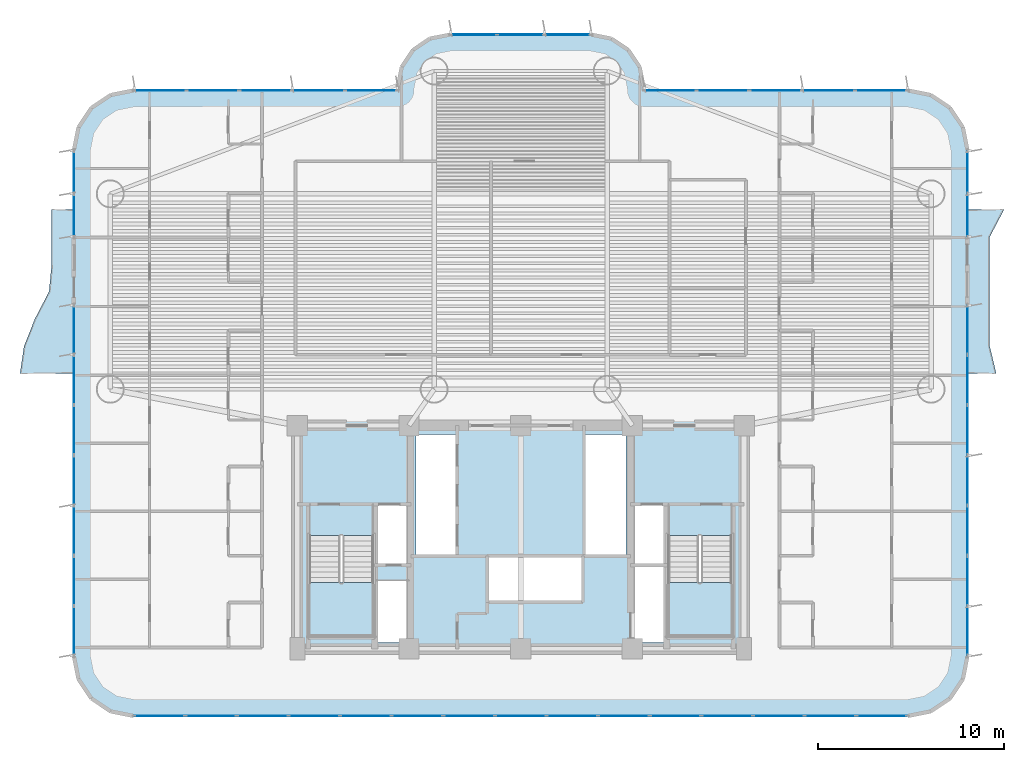
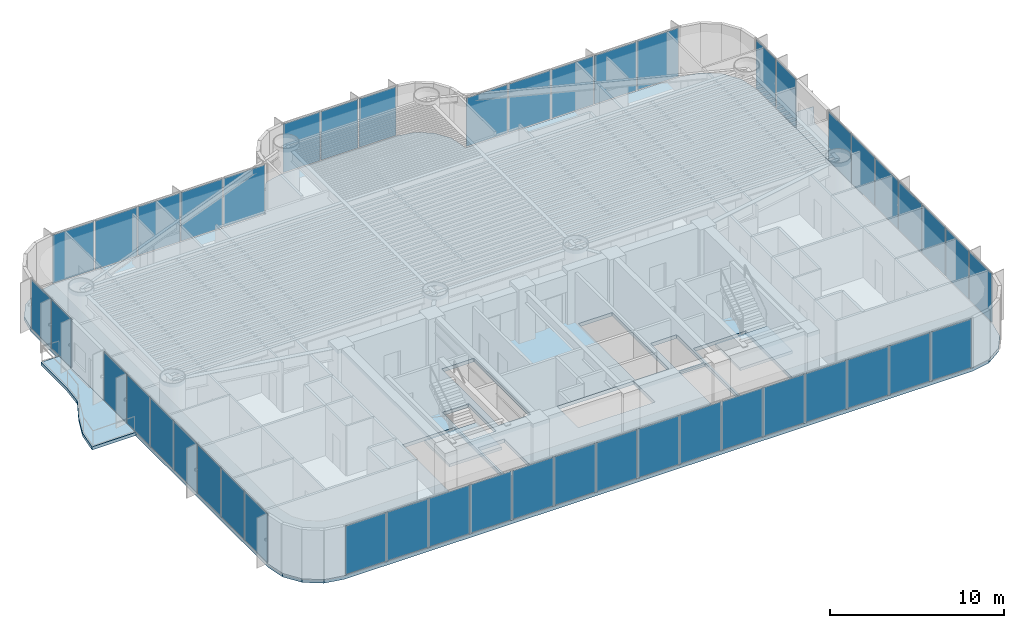
# One storey, part 9 of 19: 46 plates, 5 slabs, 10 elements without a shape of their own.
"""IFC4 building model written with IfcOpenShell, lengths in metres."""

from ifc_helpers import new_model, si_unit, direction, frame, origin, origin_2d, place, context, subcontext, project, spatial, polyline, rectangle, outline, extrude, source, transform, mapped, material, layer, layer_set, type_object, element, aggregate, save


model = new_model("IFC4")

# Units and contexts
model_context = context("Model", 3, precision=1e-05, world=origin(), true_north=direction((0.0, 1.0)))
body_context = subcontext(model_context, "Body", "Model", "MODEL_VIEW")
ifc_project = project(units=[si_unit("LENGTHUNIT", "METRE"), si_unit("AREAUNIT", "SQUARE_METRE"), si_unit("VOLUMEUNIT", "CUBIC_METRE"), si_unit("PLANEANGLEUNIT", "RADIAN"), si_unit("MASSUNIT", "GRAM", prefix="KILO")], contexts=[model_context])

# Site, building, storey
site_placement = place(None, origin())
site = spatial("IfcSite", under=ifc_project, at=site_placement, CompositionType="ELEMENT")
building_placement = place(site_placement, origin())
building = spatial("IfcBuilding", under=site, at=building_placement, Name="Brelvock Crest Care Tower", CompositionType="ELEMENT")
storey_placement = place(building_placement, frame((0.0, 0.0, 30.780029296875)))
storey = spatial("IfcBuildingStorey", under=building, at=storey_placement, Name="L07", CompositionType="ELEMENT", Elevation=30.780029296875)

# Slabs
ifc_material_1 = material(Name="Concrete N50 (50 MPa)", Category="concrete")
ifc_layer_1 = layer(ifc_material_1, 0.22998046875, Name="SLB-FL4")
ifc_layer_set_1 = layer_set([ifc_layer_1], Name="Concrete N50 (50 MPa)")
slab_type_1 = type_object("IfcSlabType", Name="SLB-FL4", PredefinedType="FLOOR", material=ifc_layer_set_1)
slab_1_placement = place(storey_placement, frame((0.0, 0.0, -0.25)))
element("IfcSlab", 1, at=slab_1_placement, inside=storey, type_object=slab_type_1, Name="L07 Main Structural Slab", PredefinedType="FLOOR", context=body_context, shape_type="SweptSolid", body=[
    extrude(outline(polyline([(56.800048828125, 36.0), (42.60009765625, 36.0), (42.60009765625, 36.199951171875), (42.386962890625, 37.271484375), (41.77978515625, 38.179931640625), (40.87158203125, 38.786865234375), (39.800048828125, 39.0), (32.199951171875, 39.0), (31.12841796875, 38.786865234375), (30.22021484375, 38.179931640625), (29.613037109375, 37.271484375), (29.39990234375, 36.199951171875), (29.39990234375, 36.0), (15.199951171875, 36.0), (13.975341796875, 35.75634765625), (12.937255859375, 35.062744140625), (12.24365234375, 34.024658203125), (12.0, 32.800048828125), (12.0, 5.60009765625), (12.24365234375, 4.37548828125), (12.937255859375, 3.33740234375), (13.975341796875, 2.6435546875), (15.199951171875, 2.39990234375), (56.800048828125, 2.39990234375), (58.024658203125, 2.6435546875), (59.062744140625, 3.33740234375), (59.75634765625, 4.37548828125), (60.0, 5.60009765625), (60.0, 32.800048828125), (59.75634765625, 34.024658203125), (59.062744140625, 35.062744140625), (58.024658203125, 35.75634765625), (56.800048828125, 36.0)]), holes=[polyline([(28.239990234375, 10.580078125), (29.97998046875, 10.580078125), (29.97998046875, 13.739990234375), (28.239990234375, 13.739990234375), (28.239990234375, 10.580078125)]), polyline([(42.02001953125, 10.580078125), (43.760009765625, 10.580078125), (43.760009765625, 13.739990234375), (42.02001953125, 13.739990234375), (42.02001953125, 10.580078125)]), polyline([(28.239990234375, 6.340087890625), (29.97998046875, 6.340087890625), (29.97998046875, 9.64990234375), (28.239990234375, 9.64990234375), (28.239990234375, 6.340087890625)]), polyline([(24.6298828125, 12.080078125), (24.6298828125, 6.699951171875), (28.110107421875, 6.699951171875), (28.110107421875, 12.080078125), (24.6298828125, 12.080078125)]), polyline([(43.889892578125, 12.080078125), (43.889892578125, 6.699951171875), (47.3701171875, 6.699951171875), (47.3701171875, 12.080078125), (43.889892578125, 12.080078125)]), polyline([(42.02001953125, 6.340087890625), (43.760009765625, 6.340087890625), (43.760009765625, 10.5), (42.02001953125, 10.5), (42.02001953125, 6.340087890625)]), polyline([(30.3798828125, 11.030029296875), (32.52001953125, 11.030029296875), (32.52001953125, 17.52001953125), (30.3798828125, 17.52001953125), (30.3798828125, 11.030029296875)]), polyline([(34.22998046875, 8.530029296875), (39.320068359375, 8.530029296875), (39.320068359375, 10.969970703125), (34.22998046875, 10.969970703125), (34.22998046875, 8.530029296875)]), polyline([(39.429931640625, 11.030029296875), (41.669921875, 11.030029296875), (41.669921875, 17.52001953125), (39.429931640625, 17.52001953125), (39.429931640625, 11.030029296875)])]), origin(), (0.0, 0.0, 1.0), 0.25),
])
ifc_layer_2 = layer(ifc_material_1, 0.219970703125, Name="SLB-WB1")
ifc_layer_set_2 = layer_set([ifc_layer_2], Name="Concrete N50 (50 MPa)")
slab_type_2 = type_object("IfcSlabType", Name="SLB-WB1", PredefinedType="FLOOR", material=ifc_layer_set_2)
slab_2_placement = place(storey_placement, frame((0.0, 0.0, -0.219970703125)))
element("IfcSlab", 2, at=slab_2_placement, inside=storey, type_object=slab_type_2, Name="L07 W Sinusoidal Wave Balcony Slab", PredefinedType="FLOOR", context=body_context, shape_type="SweptSolid", body=[
    extrude(outline(polyline([(12.0, 29.60009765625), (10.800048828125, 29.60009765625), (10.800048828125, 28.13330078125), (10.800048828125, 26.666748046875), (10.6611328125, 25.199951171875), (9.90087890625, 23.7333984375), (9.31787109375, 22.2666015625), (9.10009765625, 20.800048828125), (12.0, 20.800048828125), (12.0, 29.60009765625)])), origin(), (0.0, 0.0, 1.0), 0.219970703125),
])
slab_3_placement = place(storey_placement, frame((0.0, 0.0, -0.219970703125)))
element("IfcSlab", 3, at=slab_3_placement, inside=storey, type_object=slab_type_2, Name="L07 E Sinusoidal Wave Balcony Slab", PredefinedType="FLOOR", context=body_context, shape_type="SweptSolid", body=[
    extrude(outline(polyline([(60.0, 20.800048828125), (61.550048828125, 20.800048828125), (61.199951171875, 22.2666015625), (61.199951171875, 23.7333984375), (61.199951171875, 25.199951171875), (61.199951171875, 26.666748046875), (61.20068359375, 28.13330078125), (61.96728515625, 29.60009765625), (60.0, 29.60009765625), (60.0, 20.800048828125)])), origin(), (0.0, 0.0, 1.0), 0.219970703125),
])

# Stair, slab
ifc_material_2 = material(Name="Concrete N40 (40 MPa)", Category="concrete")
stair_type = type_object("IfcStairType", Name="ST-CORE1", PredefinedType="HALF_TURN_STAIR", material=ifc_material_2)
stair_1_placement = place(storey_placement, origin())
stair_1 = element("IfcStair", 4, at=stair_1_placement, inside=storey, type_object=stair_type, Name="L07 Fire-Isolated Core Stair ST-1", PredefinedType="HALF_TURN_STAIR")
ifc_layer_3 = layer(ifc_material_2, 0.199951171875, Name="STL-1")
ifc_layer_set_3 = layer_set([ifc_layer_3], Name="Concrete N40 (40 MPa)")
slab_type_3 = type_object("IfcSlabType", Name="STL-1", PredefinedType="LANDING", material=ifc_layer_set_3)
slab_4_placement = place(storey_placement, frame((0.0, 0.0, 1.68994140625)))
slab_4 = element("IfcSlab", 5, at=slab_4_placement, type_object=slab_type_3, Name="ST-1 landing 1", PredefinedType="LANDING", context=body_context, shape_type="SweptSolid", body=[
    extrude(outline(polyline([(24.6298828125, 9.56005859375), (24.6298828125, 6.699951171875), (28.110107421875, 6.699951171875), (28.110107421875, 9.56005859375), (24.6298828125, 9.56005859375)])), origin(), (0.0, 0.0, 1.0), 0.199951171875),
])
aggregate(stair_1, [slab_4])

stair_2_placement = place(storey_placement, origin())
stair_2 = element("IfcStair", 6, at=stair_2_placement, inside=storey, type_object=stair_type, Name="L07 Fire-Isolated Core Stair ST-2", PredefinedType="HALF_TURN_STAIR")
slab_5_placement = place(storey_placement, frame((0.0, 0.0, 1.68994140625)))
slab_5 = element("IfcSlab", 7, at=slab_5_placement, type_object=slab_type_3, Name="ST-2 landing 1", PredefinedType="LANDING", context=body_context, shape_type="SweptSolid", body=[
    extrude(outline(polyline([(43.889892578125, 9.56005859375), (43.889892578125, 6.699951171875), (47.3701171875, 6.699951171875), (47.3701171875, 9.56005859375), (43.889892578125, 9.56005859375)])), origin(), (0.0, 0.0, 1.0), 0.199951171875),
])
aggregate(stair_2, [slab_5])

# Curtain wall, plates
ifc_material_3 = material(Name="Dark Glass Double Glazed Low-E", Category="glass")
ifc_layer_4 = layer(ifc_material_3, 0.195068359375, Name="CWS-2")
ifc_layer_set_4 = layer_set([ifc_layer_4], Name="Dark Glass Double Glazed Low-E")
curtain_wall_type = type_object("IfcCurtainWallType", Name="CWS-2", PredefinedType="NOTDEFINED", material=ifc_layer_set_4)
curtain_wall_1_placement = place(storey_placement, origin())
curtain_wall_1 = element("IfcCurtainWall", 8, at=curtain_wall_1_placement, inside=storey, type_object=curtain_wall_type, Name="L07 Curtain Wall E08", PredefinedType="NOTDEFINED")
ifc_layer_5 = layer(ifc_material_3, 0.031982421875, Name="CWP-V1")
ifc_layer_set_5 = layer_set([ifc_layer_5], Name="Dark Glass Double Glazed Low-E")
plate_type = type_object("IfcPlateType", Name="CWP-V1", PredefinedType="CURTAIN_PANEL", material=ifc_layer_set_5)
shared_shape_1 = source(origin(), body_context, "Body", "SweptSolid", [
    extrude(rectangle(XDim=2.67578125, YDim=0.035888671875, at=origin_2d()), origin(), (0.0, 0.0, 1.0), 3.39990234375),
])
plate_1_placement = place(storey_placement, frame((55.39697265625, 2.39990234375, 0.06494140625), z_axis=(0.0, 0.0, 1.0), x_axis=(-1.0, 0.0, 0.0)))
plate_1 = element("IfcPlate", 9, at=plate_1_placement, type_object=plate_type, Name="CW-2 panel 1.1", PredefinedType="CURTAIN_PANEL", context=body_context, shape_type="MappedRepresentation", body=[
    mapped(shared_shape_1, transform((0.0, 0.0, 0.0), x_axis=(1.0, 0.0, 0.0), y_axis=(0.0, 1.0, 0.0), z_axis=(0.0, 0.0, 1.0), scale=1.0)),
])
plate_2_placement = place(storey_placement, frame((16.60302734375, 2.39990234375, 0.06494140625), z_axis=(0.0, 0.0, 1.0), x_axis=(-1.0, 0.0, 0.0)))
plate_2 = element("IfcPlate", 10, at=plate_2_placement, type_object=plate_type, Name="CW-2 panel 15.1", PredefinedType="CURTAIN_PANEL", context=body_context, shape_type="MappedRepresentation", body=[
    mapped(shared_shape_1, transform((0.0, 0.0, 0.0), x_axis=(1.0, 0.0, 0.0), y_axis=(0.0, 1.0, 0.0), z_axis=(0.0, 0.0, 1.0), scale=1.0)),
])
shared_shape_2 = source(origin(), body_context, "Body", "SweptSolid", [
    extrude(rectangle(XDim=2.708251953125, YDim=0.035888671875, at=origin_2d()), origin(), (0.0, 0.0, 1.0), 3.39990234375),
])
plate_3_placement = place(storey_placement, frame((52.639892578125, 2.39990234375, 0.06494140625), z_axis=(0.0, 0.0, 1.0), x_axis=(-1.0, 0.0, 0.0)))
plate_3 = element("IfcPlate", 11, at=plate_3_placement, type_object=plate_type, Name="CW-2 panel 2.1", PredefinedType="CURTAIN_PANEL", context=body_context, shape_type="MappedRepresentation", body=[
    mapped(shared_shape_2, transform((0.0, 0.0, 0.0), x_axis=(1.0, 0.0, 0.0), y_axis=(0.0, 1.0, 0.0), z_axis=(0.0, 0.0, 1.0), scale=1.0)),
])
plate_4_placement = place(storey_placement, frame((49.86669921875, 2.39990234375, 0.06494140625), z_axis=(0.0, 0.0, 1.0), x_axis=(-1.0, 0.0, 0.0)))
plate_4 = element("IfcPlate", 12, at=plate_4_placement, type_object=plate_type, Name="CW-2 panel 3.1", PredefinedType="CURTAIN_PANEL", context=body_context, shape_type="MappedRepresentation", body=[
    mapped(shared_shape_2, transform((0.0, 0.0, 0.0), x_axis=(1.0, 0.0, 0.0), y_axis=(0.0, 1.0, 0.0), z_axis=(0.0, 0.0, 1.0), scale=1.0)),
])
plate_5_placement = place(storey_placement, frame((47.09326171875, 2.39990234375, 0.06494140625), z_axis=(0.0, 0.0, 1.0), x_axis=(-1.0, 0.0, 0.0)))
plate_5 = element("IfcPlate", 13, at=plate_5_placement, type_object=plate_type, Name="CW-2 panel 4.1", PredefinedType="CURTAIN_PANEL", context=body_context, shape_type="MappedRepresentation", body=[
    mapped(shared_shape_2, transform((0.0, 0.0, 0.0), x_axis=(1.0, 0.0, 0.0), y_axis=(0.0, 1.0, 0.0), z_axis=(0.0, 0.0, 1.0), scale=1.0)),
])
plate_6_placement = place(storey_placement, frame((44.320068359375, 2.39990234375, 0.06494140625), z_axis=(0.0, 0.0, 1.0), x_axis=(-1.0, 0.0, 0.0)))
plate_6 = element("IfcPlate", 14, at=plate_6_placement, type_object=plate_type, Name="CW-2 panel 5.1", PredefinedType="CURTAIN_PANEL", context=body_context, shape_type="MappedRepresentation", body=[
    mapped(shared_shape_2, transform((0.0, 0.0, 0.0), x_axis=(1.0, 0.0, 0.0), y_axis=(0.0, 1.0, 0.0), z_axis=(0.0, 0.0, 1.0), scale=1.0)),
])
plate_7_placement = place(storey_placement, frame((41.546630859375, 2.39990234375, 0.06494140625), z_axis=(0.0, 0.0, 1.0), x_axis=(-1.0, 0.0, 0.0)))
plate_7 = element("IfcPlate", 15, at=plate_7_placement, type_object=plate_type, Name="CW-2 panel 6.1", PredefinedType="CURTAIN_PANEL", context=body_context, shape_type="MappedRepresentation", body=[
    mapped(shared_shape_2, transform((0.0, 0.0, 0.0), x_axis=(1.0, 0.0, 0.0), y_axis=(0.0, 1.0, 0.0), z_axis=(0.0, 0.0, 1.0), scale=1.0)),
])
plate_8_placement = place(storey_placement, frame((38.7734375, 2.39990234375, 0.06494140625), z_axis=(0.0, 0.0, 1.0), x_axis=(-1.0, 0.0, 0.0)))
plate_8 = element("IfcPlate", 16, at=plate_8_placement, type_object=plate_type, Name="CW-2 panel 7.1", PredefinedType="CURTAIN_PANEL", context=body_context, shape_type="MappedRepresentation", body=[
    mapped(shared_shape_2, transform((0.0, 0.0, 0.0), x_axis=(1.0, 0.0, 0.0), y_axis=(0.0, 1.0, 0.0), z_axis=(0.0, 0.0, 1.0), scale=1.0)),
])
plate_9_placement = place(storey_placement, frame((36.0, 2.39990234375, 0.06494140625), z_axis=(0.0, 0.0, 1.0), x_axis=(-1.0, 0.0, 0.0)))
plate_9 = element("IfcPlate", 17, at=plate_9_placement, type_object=plate_type, Name="CW-2 panel 8.1", PredefinedType="CURTAIN_PANEL", context=body_context, shape_type="MappedRepresentation", body=[
    mapped(shared_shape_2, transform((0.0, 0.0, 0.0), x_axis=(1.0, 0.0, 0.0), y_axis=(0.0, 1.0, 0.0), z_axis=(0.0, 0.0, 1.0), scale=1.0)),
])
plate_10_placement = place(storey_placement, frame((33.2265625, 2.39990234375, 0.06494140625), z_axis=(0.0, 0.0, 1.0), x_axis=(-1.0, 0.0, 0.0)))
plate_10 = element("IfcPlate", 18, at=plate_10_placement, type_object=plate_type, Name="CW-2 panel 9.1", PredefinedType="CURTAIN_PANEL", context=body_context, shape_type="MappedRepresentation", body=[
    mapped(shared_shape_2, transform((0.0, 0.0, 0.0), x_axis=(1.0, 0.0, 0.0), y_axis=(0.0, 1.0, 0.0), z_axis=(0.0, 0.0, 1.0), scale=1.0)),
])
plate_11_placement = place(storey_placement, frame((30.453369140625, 2.39990234375, 0.06494140625), z_axis=(0.0, 0.0, 1.0), x_axis=(-1.0, 0.0, 0.0)))
plate_11 = element("IfcPlate", 19, at=plate_11_placement, type_object=plate_type, Name="CW-2 panel 10.1", PredefinedType="CURTAIN_PANEL", context=body_context, shape_type="MappedRepresentation", body=[
    mapped(shared_shape_2, transform((0.0, 0.0, 0.0), x_axis=(1.0, 0.0, 0.0), y_axis=(0.0, 1.0, 0.0), z_axis=(0.0, 0.0, 1.0), scale=1.0)),
])
plate_12_placement = place(storey_placement, frame((27.679931640625, 2.39990234375, 0.06494140625), z_axis=(0.0, 0.0, 1.0), x_axis=(-1.0, 0.0, 0.0)))
plate_12 = element("IfcPlate", 20, at=plate_12_placement, type_object=plate_type, Name="CW-2 panel 11.1", PredefinedType="CURTAIN_PANEL", context=body_context, shape_type="MappedRepresentation", body=[
    mapped(shared_shape_2, transform((0.0, 0.0, 0.0), x_axis=(1.0, 0.0, 0.0), y_axis=(0.0, 1.0, 0.0), z_axis=(0.0, 0.0, 1.0), scale=1.0)),
])
plate_13_placement = place(storey_placement, frame((24.90673828125, 2.39990234375, 0.06494140625), z_axis=(0.0, 0.0, 1.0), x_axis=(-1.0, 0.0, 0.0)))
plate_13 = element("IfcPlate", 21, at=plate_13_placement, type_object=plate_type, Name="CW-2 panel 12.1", PredefinedType="CURTAIN_PANEL", context=body_context, shape_type="MappedRepresentation", body=[
    mapped(shared_shape_2, transform((0.0, 0.0, 0.0), x_axis=(1.0, 0.0, 0.0), y_axis=(0.0, 1.0, 0.0), z_axis=(0.0, 0.0, 1.0), scale=1.0)),
])
plate_14_placement = place(storey_placement, frame((22.13330078125, 2.39990234375, 0.06494140625), z_axis=(0.0, 0.0, 1.0), x_axis=(-1.0, 0.0, 0.0)))
plate_14 = element("IfcPlate", 22, at=plate_14_placement, type_object=plate_type, Name="CW-2 panel 13.1", PredefinedType="CURTAIN_PANEL", context=body_context, shape_type="MappedRepresentation", body=[
    mapped(shared_shape_2, transform((0.0, 0.0, 0.0), x_axis=(1.0, 0.0, 0.0), y_axis=(0.0, 1.0, 0.0), z_axis=(0.0, 0.0, 1.0), scale=1.0)),
])
plate_15_placement = place(storey_placement, frame((19.360107421875, 2.39990234375, 0.06494140625), z_axis=(0.0, 0.0, 1.0), x_axis=(-1.0, 0.0, 0.0)))
plate_15 = element("IfcPlate", 23, at=plate_15_placement, type_object=plate_type, Name="CW-2 panel 14.1", PredefinedType="CURTAIN_PANEL", context=body_context, shape_type="MappedRepresentation", body=[
    mapped(shared_shape_2, transform((0.0, 0.0, 0.0), x_axis=(1.0, 0.0, 0.0), y_axis=(0.0, 1.0, 0.0), z_axis=(0.0, 0.0, 1.0), scale=1.0)),
])
aggregate(curtain_wall_1, [plate_1, plate_3, plate_4, plate_5, plate_6, plate_7, plate_8, plate_9, plate_10, plate_11, plate_12, plate_13, plate_14, plate_15, plate_2])

curtain_wall_2_placement = place(storey_placement, origin())
curtain_wall_2 = element("IfcCurtainWall", 24, at=curtain_wall_2_placement, inside=storey, type_object=curtain_wall_type, Name="L07 Curtain Wall E18", PredefinedType="NOTDEFINED")
shared_shape_3 = source(origin(), body_context, "Body", "SweptSolid", [
    extrude(rectangle(XDim=2.742431640625, YDim=0.035888671875, at=origin_2d()), origin(), (0.0, 0.0, 1.0), 3.39990234375),
])
plate_16_placement = place(storey_placement, frame((16.63623046875, 36.0, 0.06494140625), z_axis=(0.0, 0.0, 1.0), x_axis=(1.0, 0.0, 0.0)))
plate_16 = element("IfcPlate", 25, at=plate_16_placement, type_object=plate_type, Name="CW-2 panel 1.1", PredefinedType="CURTAIN_PANEL", context=body_context, shape_type="MappedRepresentation", body=[
    mapped(shared_shape_3, transform((0.0, 0.0, 0.0), x_axis=(1.0, 0.0, 0.0), y_axis=(0.0, 1.0, 0.0), z_axis=(0.0, 0.0, 1.0), scale=1.0)),
])
plate_17_placement = place(storey_placement, frame((27.9638671875, 36.0, 0.06494140625), z_axis=(0.0, 0.0, 1.0), x_axis=(1.0, 0.0, 0.0)))
plate_17 = element("IfcPlate", 26, at=plate_17_placement, type_object=plate_type, Name="CW-2 panel 5.1", PredefinedType="CURTAIN_PANEL", context=body_context, shape_type="MappedRepresentation", body=[
    mapped(shared_shape_3, transform((0.0, 0.0, 0.0), x_axis=(1.0, 0.0, 0.0), y_axis=(0.0, 1.0, 0.0), z_axis=(0.0, 0.0, 1.0), scale=1.0)),
])

curtain_wall_3_placement = place(storey_placement, origin())
curtain_wall_3 = element("IfcCurtainWall", 27, at=curtain_wall_3_placement, inside=storey, type_object=curtain_wall_type, Name="L07 Curtain Wall E30", PredefinedType="NOTDEFINED")
plate_18_placement = place(storey_placement, frame((44.0361328125, 36.0, 0.06494140625), z_axis=(0.0, 0.0, 1.0), x_axis=(1.0, 0.0, 0.0)))
plate_18 = element("IfcPlate", 28, at=plate_18_placement, type_object=plate_type, Name="CW-2 panel 1.1", PredefinedType="CURTAIN_PANEL", context=body_context, shape_type="MappedRepresentation", body=[
    mapped(shared_shape_3, transform((0.0, 0.0, 0.0), x_axis=(1.0, 0.0, 0.0), y_axis=(0.0, 1.0, 0.0), z_axis=(0.0, 0.0, 1.0), scale=1.0)),
])
plate_19_placement = place(storey_placement, frame((55.36376953125, 36.0, 0.06494140625), z_axis=(0.0, 0.0, 1.0), x_axis=(1.0, 0.0, 0.0)))
plate_19 = element("IfcPlate", 29, at=plate_19_placement, type_object=plate_type, Name="CW-2 panel 5.1", PredefinedType="CURTAIN_PANEL", context=body_context, shape_type="MappedRepresentation", body=[
    mapped(shared_shape_3, transform((0.0, 0.0, 0.0), x_axis=(1.0, 0.0, 0.0), y_axis=(0.0, 1.0, 0.0), z_axis=(0.0, 0.0, 1.0), scale=1.0)),
])

# Plate
shared_shape_4 = source(origin(), body_context, "Body", "SweptSolid", [
    extrude(rectangle(XDim=2.77490234375, YDim=0.035888671875, at=origin_2d()), origin(), (0.0, 0.0, 1.0), 3.39990234375),
])
plate_20_placement = place(storey_placement, frame((19.4599609375, 36.0, 0.06494140625), z_axis=(0.0, 0.0, 1.0), x_axis=(1.0, 0.0, 0.0)))
plate_20 = element("IfcPlate", 30, at=plate_20_placement, type_object=plate_type, Name="CW-2 panel 2.1", PredefinedType="CURTAIN_PANEL", context=body_context, shape_type="MappedRepresentation", body=[
    mapped(shared_shape_4, transform((0.0, 0.0, 0.0), x_axis=(1.0, 0.0, 0.0), y_axis=(0.0, 1.0, 0.0), z_axis=(0.0, 0.0, 1.0), scale=1.0)),
])

plate_21_placement = place(storey_placement, frame((22.300048828125, 36.0, 0.06494140625), z_axis=(0.0, 0.0, 1.0), x_axis=(1.0, 0.0, 0.0)))
plate_21 = element("IfcPlate", 31, at=plate_21_placement, type_object=plate_type, Name="CW-2 panel 3.1", PredefinedType="CURTAIN_PANEL", context=body_context, shape_type="MappedRepresentation", body=[
    mapped(shared_shape_4, transform((0.0, 0.0, 0.0), x_axis=(1.0, 0.0, 0.0), y_axis=(0.0, 1.0, 0.0), z_axis=(0.0, 0.0, 1.0), scale=1.0)),
])

plate_22_placement = place(storey_placement, frame((25.139892578125, 36.0, 0.06494140625), z_axis=(0.0, 0.0, 1.0), x_axis=(1.0, 0.0, 0.0)))
plate_22 = element("IfcPlate", 32, at=plate_22_placement, type_object=plate_type, Name="CW-2 panel 4.1", PredefinedType="CURTAIN_PANEL", context=body_context, shape_type="MappedRepresentation", body=[
    mapped(shared_shape_4, transform((0.0, 0.0, 0.0), x_axis=(1.0, 0.0, 0.0), y_axis=(0.0, 1.0, 0.0), z_axis=(0.0, 0.0, 1.0), scale=1.0)),
])

aggregate(curtain_wall_2, [plate_16, plate_20, plate_21, plate_22, plate_17])

plate_23_placement = place(storey_placement, frame((46.860107421875, 36.0, 0.06494140625), z_axis=(0.0, 0.0, 1.0), x_axis=(1.0, 0.0, 0.0)))
plate_23 = element("IfcPlate", 33, at=plate_23_placement, type_object=plate_type, Name="CW-2 panel 2.1", PredefinedType="CURTAIN_PANEL", context=body_context, shape_type="MappedRepresentation", body=[
    mapped(shared_shape_4, transform((0.0, 0.0, 0.0), x_axis=(1.0, 0.0, 0.0), y_axis=(0.0, 1.0, 0.0), z_axis=(0.0, 0.0, 1.0), scale=1.0)),
])

plate_24_placement = place(storey_placement, frame((49.699951171875, 36.0, 0.06494140625), z_axis=(0.0, 0.0, 1.0), x_axis=(1.0, 0.0, 0.0)))
plate_24 = element("IfcPlate", 34, at=plate_24_placement, type_object=plate_type, Name="CW-2 panel 3.1", PredefinedType="CURTAIN_PANEL", context=body_context, shape_type="MappedRepresentation", body=[
    mapped(shared_shape_4, transform((0.0, 0.0, 0.0), x_axis=(1.0, 0.0, 0.0), y_axis=(0.0, 1.0, 0.0), z_axis=(0.0, 0.0, 1.0), scale=1.0)),
])

plate_25_placement = place(storey_placement, frame((52.5400390625, 36.0, 0.06494140625), z_axis=(0.0, 0.0, 1.0), x_axis=(1.0, 0.0, 0.0)))
plate_25 = element("IfcPlate", 35, at=plate_25_placement, type_object=plate_type, Name="CW-2 panel 4.1", PredefinedType="CURTAIN_PANEL", context=body_context, shape_type="MappedRepresentation", body=[
    mapped(shared_shape_4, transform((0.0, 0.0, 0.0), x_axis=(1.0, 0.0, 0.0), y_axis=(0.0, 1.0, 0.0), z_axis=(0.0, 0.0, 1.0), scale=1.0)),
])

aggregate(curtain_wall_3, [plate_18, plate_23, plate_24, plate_25, plate_19])

# Curtain wall, plates
curtain_wall_4_placement = place(storey_placement, origin())
curtain_wall_4 = element("IfcCurtainWall", 36, at=curtain_wall_4_placement, inside=storey, type_object=curtain_wall_type, Name="L07 Curtain Wall E24", PredefinedType="NOTDEFINED")
shared_shape_5 = source(origin(), body_context, "Body", "SweptSolid", [
    extrude(rectangle(XDim=2.435791015625, YDim=0.035888671875, at=origin_2d()), origin(), (0.0, 0.0, 1.0), 3.39990234375),
])
plate_26_placement = place(storey_placement, frame((33.48291015625, 39.0, 0.06494140625), z_axis=(0.0, 0.0, 1.0), x_axis=(1.0, 0.0, 0.0)))
plate_26 = element("IfcPlate", 37, at=plate_26_placement, type_object=plate_type, Name="CW-2 panel 1.1", PredefinedType="CURTAIN_PANEL", context=body_context, shape_type="MappedRepresentation", body=[
    mapped(shared_shape_5, transform((0.0, 0.0, 0.0), x_axis=(1.0, 0.0, 0.0), y_axis=(0.0, 1.0, 0.0), z_axis=(0.0, 0.0, 1.0), scale=1.0)),
])
plate_27_placement = place(storey_placement, frame((38.51708984375, 39.0, 0.06494140625), z_axis=(0.0, 0.0, 1.0), x_axis=(1.0, 0.0, 0.0)))
plate_27 = element("IfcPlate", 38, at=plate_27_placement, type_object=plate_type, Name="CW-2 panel 3.1", PredefinedType="CURTAIN_PANEL", context=body_context, shape_type="MappedRepresentation", body=[
    mapped(shared_shape_5, transform((0.0, 0.0, 0.0), x_axis=(1.0, 0.0, 0.0), y_axis=(0.0, 1.0, 0.0), z_axis=(0.0, 0.0, 1.0), scale=1.0)),
])
shared_shape_6 = source(origin(), body_context, "Body", "SweptSolid", [
    extrude(rectangle(XDim=2.46826171875, YDim=0.035888671875, at=origin_2d()), origin(), (0.0, 0.0, 1.0), 3.39990234375),
])
plate_28_placement = place(storey_placement, frame((36.0, 39.0, 0.06494140625), z_axis=(0.0, 0.0, 1.0), x_axis=(1.0, 0.0, 0.0)))
plate_28 = element("IfcPlate", 39, at=plate_28_placement, type_object=plate_type, Name="CW-2 panel 2.1", PredefinedType="CURTAIN_PANEL", context=body_context, shape_type="MappedRepresentation", body=[
    mapped(shared_shape_6, transform((0.0, 0.0, 0.0), x_axis=(1.0, 0.0, 0.0), y_axis=(0.0, 1.0, 0.0), z_axis=(0.0, 0.0, 1.0), scale=1.0)),
])
aggregate(curtain_wall_4, [plate_26, plate_28, plate_27])

curtain_wall_5_placement = place(storey_placement, origin())
curtain_wall_5 = element("IfcCurtainWall", 40, at=curtain_wall_5_placement, inside=storey, type_object=curtain_wall_type, Name="L07 Curtain Wall E03A", PredefinedType="NOTDEFINED")
shared_shape_7 = source(origin(), body_context, "Body", "SweptSolid", [
    extrude(rectangle(XDim=2.25244140625, YDim=0.035888671875, at=origin_2d()), origin(), (0.0, 0.0, 1.0), 3.39990234375),
])
plate_29_placement = place(storey_placement, frame((60.0, 31.608642578125, 0.06494140625), z_axis=(0.0, 0.0, 1.0), x_axis=(0.0, -1.0, 0.0)))
plate_29 = element("IfcPlate", 41, at=plate_29_placement, type_object=plate_type, Name="CW-2 panel 1.1", PredefinedType="CURTAIN_PANEL", context=body_context, shape_type="MappedRepresentation", body=[
    mapped(shared_shape_7, transform((0.0, 0.0, 0.0), x_axis=(1.0, 0.0, 0.0), y_axis=(0.0, 1.0, 0.0), z_axis=(0.0, 0.0, 1.0), scale=1.0)),
])
plate_30_placement = place(storey_placement, frame((60.0, 29.291259765625, 0.06494140625), z_axis=(0.0, 0.0, 1.0), x_axis=(0.0, -1.0, 0.0)))
plate_30 = element("IfcPlate", 42, at=plate_30_placement, type_object=plate_type, Name="CW-2 panel 2.1", PredefinedType="CURTAIN_PANEL", context=body_context, shape_type="MappedRepresentation", body=[
    mapped(shared_shape_7, transform((0.0, 0.0, 0.0), x_axis=(1.0, 0.0, 0.0), y_axis=(0.0, 1.0, 0.0), z_axis=(0.0, 0.0, 1.0), scale=1.0)),
])
aggregate(curtain_wall_5, [plate_29, plate_30])

curtain_wall_6_placement = place(storey_placement, origin())
curtain_wall_6 = element("IfcCurtainWall", 43, at=curtain_wall_6_placement, inside=storey, type_object=curtain_wall_type, Name="L07 Curtain Wall E13B", PredefinedType="NOTDEFINED")
plate_31_placement = place(storey_placement, frame((12.0, 29.291259765625, 0.06494140625), z_axis=(0.0, 0.0, 1.0), x_axis=(0.0, 1.0, 0.0)))
plate_31 = element("IfcPlate", 44, at=plate_31_placement, type_object=plate_type, Name="CW-2 panel 1.1", PredefinedType="CURTAIN_PANEL", context=body_context, shape_type="MappedRepresentation", body=[
    mapped(shared_shape_7, transform((0.0, 0.0, 0.0), x_axis=(1.0, 0.0, 0.0), y_axis=(0.0, 1.0, 0.0), z_axis=(0.0, 0.0, 1.0), scale=1.0)),
])
plate_32_placement = place(storey_placement, frame((12.0, 31.608642578125, 0.06494140625), z_axis=(0.0, 0.0, 1.0), x_axis=(0.0, 1.0, 0.0)))
plate_32 = element("IfcPlate", 45, at=plate_32_placement, type_object=plate_type, Name="CW-2 panel 2.1", PredefinedType="CURTAIN_PANEL", context=body_context, shape_type="MappedRepresentation", body=[
    mapped(shared_shape_7, transform((0.0, 0.0, 0.0), x_axis=(1.0, 0.0, 0.0), y_axis=(0.0, 1.0, 0.0), z_axis=(0.0, 0.0, 1.0), scale=1.0)),
])
aggregate(curtain_wall_6, [plate_31, plate_32])

curtain_wall_7_placement = place(storey_placement, origin())
curtain_wall_7 = element("IfcCurtainWall", 46, at=curtain_wall_7_placement, inside=storey, type_object=curtain_wall_type, Name="L07 Curtain Wall E03B", PredefinedType="NOTDEFINED")
shared_shape_8 = source(origin(), body_context, "Body", "SweptSolid", [
    extrude(rectangle(XDim=2.6025390625, YDim=0.035888671875, at=origin_2d()), origin(), (0.0, 0.0, 1.0), 3.39990234375),
])
plate_33_placement = place(storey_placement, frame((60.0, 23.1337890625, 0.06494140625), z_axis=(0.0, 0.0, 1.0), x_axis=(0.0, -1.0, 0.0)))
plate_33 = element("IfcPlate", 47, at=plate_33_placement, type_object=plate_type, Name="CW-2 panel 1.1", PredefinedType="CURTAIN_PANEL", context=body_context, shape_type="MappedRepresentation", body=[
    mapped(shared_shape_8, transform((0.0, 0.0, 0.0), x_axis=(1.0, 0.0, 0.0), y_axis=(0.0, 1.0, 0.0), z_axis=(0.0, 0.0, 1.0), scale=1.0)),
])
plate_34_placement = place(storey_placement, frame((60.0, 6.96630859375, 0.06494140625), z_axis=(0.0, 0.0, 1.0), x_axis=(0.0, -1.0, 0.0)))
plate_34 = element("IfcPlate", 48, at=plate_34_placement, type_object=plate_type, Name="CW-2 panel 7.1", PredefinedType="CURTAIN_PANEL", context=body_context, shape_type="MappedRepresentation", body=[
    mapped(shared_shape_8, transform((0.0, 0.0, 0.0), x_axis=(1.0, 0.0, 0.0), y_axis=(0.0, 1.0, 0.0), z_axis=(0.0, 0.0, 1.0), scale=1.0)),
])

curtain_wall_8_placement = place(storey_placement, origin())
curtain_wall_8 = element("IfcCurtainWall", 49, at=curtain_wall_8_placement, inside=storey, type_object=curtain_wall_type, Name="L07 Curtain Wall E13A", PredefinedType="NOTDEFINED")
plate_35_placement = place(storey_placement, frame((12.0, 6.96630859375, 0.06494140625), z_axis=(0.0, 0.0, 1.0), x_axis=(0.0, 1.0, 0.0)))
plate_35 = element("IfcPlate", 50, at=plate_35_placement, type_object=plate_type, Name="CW-2 panel 1.1", PredefinedType="CURTAIN_PANEL", context=body_context, shape_type="MappedRepresentation", body=[
    mapped(shared_shape_8, transform((0.0, 0.0, 0.0), x_axis=(1.0, 0.0, 0.0), y_axis=(0.0, 1.0, 0.0), z_axis=(0.0, 0.0, 1.0), scale=1.0)),
])
plate_36_placement = place(storey_placement, frame((12.0, 23.1337890625, 0.06494140625), z_axis=(0.0, 0.0, 1.0), x_axis=(0.0, 1.0, 0.0)))
plate_36 = element("IfcPlate", 51, at=plate_36_placement, type_object=plate_type, Name="CW-2 panel 7.1", PredefinedType="CURTAIN_PANEL", context=body_context, shape_type="MappedRepresentation", body=[
    mapped(shared_shape_8, transform((0.0, 0.0, 0.0), x_axis=(1.0, 0.0, 0.0), y_axis=(0.0, 1.0, 0.0), z_axis=(0.0, 0.0, 1.0), scale=1.0)),
])

# Plate
shared_shape_9 = source(origin(), body_context, "Body", "SweptSolid", [
    extrude(rectangle(XDim=2.635009765625, YDim=0.035888671875, at=origin_2d()), origin(), (0.0, 0.0, 1.0), 3.39990234375),
])
plate_37_placement = place(storey_placement, frame((60.0, 20.449951171875, 0.06494140625), z_axis=(0.0, 0.0, 1.0), x_axis=(0.0, -1.0, 0.0)))
plate_37 = element("IfcPlate", 52, at=plate_37_placement, type_object=plate_type, Name="CW-2 panel 2.1", PredefinedType="CURTAIN_PANEL", context=body_context, shape_type="MappedRepresentation", body=[
    mapped(shared_shape_9, transform((0.0, 0.0, 0.0), x_axis=(1.0, 0.0, 0.0), y_axis=(0.0, 1.0, 0.0), z_axis=(0.0, 0.0, 1.0), scale=1.0)),
])

plate_38_placement = place(storey_placement, frame((60.0, 17.75, 0.06494140625), z_axis=(0.0, 0.0, 1.0), x_axis=(0.0, -1.0, 0.0)))
plate_38 = element("IfcPlate", 53, at=plate_38_placement, type_object=plate_type, Name="CW-2 panel 3.1", PredefinedType="CURTAIN_PANEL", context=body_context, shape_type="MappedRepresentation", body=[
    mapped(shared_shape_9, transform((0.0, 0.0, 0.0), x_axis=(1.0, 0.0, 0.0), y_axis=(0.0, 1.0, 0.0), z_axis=(0.0, 0.0, 1.0), scale=1.0)),
])

plate_39_placement = place(storey_placement, frame((60.0, 15.050048828125, 0.06494140625), z_axis=(0.0, 0.0, 1.0), x_axis=(0.0, -1.0, 0.0)))
plate_39 = element("IfcPlate", 54, at=plate_39_placement, type_object=plate_type, Name="CW-2 panel 4.1", PredefinedType="CURTAIN_PANEL", context=body_context, shape_type="MappedRepresentation", body=[
    mapped(shared_shape_9, transform((0.0, 0.0, 0.0), x_axis=(1.0, 0.0, 0.0), y_axis=(0.0, 1.0, 0.0), z_axis=(0.0, 0.0, 1.0), scale=1.0)),
])

plate_40_placement = place(storey_placement, frame((60.0, 12.35009765625, 0.06494140625), z_axis=(0.0, 0.0, 1.0), x_axis=(0.0, -1.0, 0.0)))
plate_40 = element("IfcPlate", 55, at=plate_40_placement, type_object=plate_type, Name="CW-2 panel 5.1", PredefinedType="CURTAIN_PANEL", context=body_context, shape_type="MappedRepresentation", body=[
    mapped(shared_shape_9, transform((0.0, 0.0, 0.0), x_axis=(1.0, 0.0, 0.0), y_axis=(0.0, 1.0, 0.0), z_axis=(0.0, 0.0, 1.0), scale=1.0)),
])

plate_41_placement = place(storey_placement, frame((60.0, 9.64990234375, 0.06494140625), z_axis=(0.0, 0.0, 1.0), x_axis=(0.0, -1.0, 0.0)))
plate_41 = element("IfcPlate", 56, at=plate_41_placement, type_object=plate_type, Name="CW-2 panel 6.1", PredefinedType="CURTAIN_PANEL", context=body_context, shape_type="MappedRepresentation", body=[
    mapped(shared_shape_9, transform((0.0, 0.0, 0.0), x_axis=(1.0, 0.0, 0.0), y_axis=(0.0, 1.0, 0.0), z_axis=(0.0, 0.0, 1.0), scale=1.0)),
])

aggregate(curtain_wall_7, [plate_33, plate_37, plate_38, plate_39, plate_40, plate_41, plate_34])

plate_42_placement = place(storey_placement, frame((12.0, 9.64990234375, 0.06494140625), z_axis=(0.0, 0.0, 1.0), x_axis=(0.0, 1.0, 0.0)))
plate_42 = element("IfcPlate", 57, at=plate_42_placement, type_object=plate_type, Name="CW-2 panel 2.1", PredefinedType="CURTAIN_PANEL", context=body_context, shape_type="MappedRepresentation", body=[
    mapped(shared_shape_9, transform((0.0, 0.0, 0.0), x_axis=(1.0, 0.0, 0.0), y_axis=(0.0, 1.0, 0.0), z_axis=(0.0, 0.0, 1.0), scale=1.0)),
])

plate_43_placement = place(storey_placement, frame((12.0, 12.35009765625, 0.06494140625), z_axis=(0.0, 0.0, 1.0), x_axis=(0.0, 1.0, 0.0)))
plate_43 = element("IfcPlate", 58, at=plate_43_placement, type_object=plate_type, Name="CW-2 panel 3.1", PredefinedType="CURTAIN_PANEL", context=body_context, shape_type="MappedRepresentation", body=[
    mapped(shared_shape_9, transform((0.0, 0.0, 0.0), x_axis=(1.0, 0.0, 0.0), y_axis=(0.0, 1.0, 0.0), z_axis=(0.0, 0.0, 1.0), scale=1.0)),
])

plate_44_placement = place(storey_placement, frame((12.0, 15.050048828125, 0.06494140625), z_axis=(0.0, 0.0, 1.0), x_axis=(0.0, 1.0, 0.0)))
plate_44 = element("IfcPlate", 59, at=plate_44_placement, type_object=plate_type, Name="CW-2 panel 4.1", PredefinedType="CURTAIN_PANEL", context=body_context, shape_type="MappedRepresentation", body=[
    mapped(shared_shape_9, transform((0.0, 0.0, 0.0), x_axis=(1.0, 0.0, 0.0), y_axis=(0.0, 1.0, 0.0), z_axis=(0.0, 0.0, 1.0), scale=1.0)),
])

plate_45_placement = place(storey_placement, frame((12.0, 17.75, 0.06494140625), z_axis=(0.0, 0.0, 1.0), x_axis=(0.0, 1.0, 0.0)))
plate_45 = element("IfcPlate", 60, at=plate_45_placement, type_object=plate_type, Name="CW-2 panel 5.1", PredefinedType="CURTAIN_PANEL", context=body_context, shape_type="MappedRepresentation", body=[
    mapped(shared_shape_9, transform((0.0, 0.0, 0.0), x_axis=(1.0, 0.0, 0.0), y_axis=(0.0, 1.0, 0.0), z_axis=(0.0, 0.0, 1.0), scale=1.0)),
])

plate_46_placement = place(storey_placement, frame((12.0, 20.449951171875, 0.06494140625), z_axis=(0.0, 0.0, 1.0), x_axis=(0.0, 1.0, 0.0)))
plate_46 = element("IfcPlate", 61, at=plate_46_placement, type_object=plate_type, Name="CW-2 panel 6.1", PredefinedType="CURTAIN_PANEL", context=body_context, shape_type="MappedRepresentation", body=[
    mapped(shared_shape_9, transform((0.0, 0.0, 0.0), x_axis=(1.0, 0.0, 0.0), y_axis=(0.0, 1.0, 0.0), z_axis=(0.0, 0.0, 1.0), scale=1.0)),
])

aggregate(curtain_wall_8, [plate_35, plate_42, plate_43, plate_44, plate_45, plate_46, plate_36])

save(model, "model.ifc")
